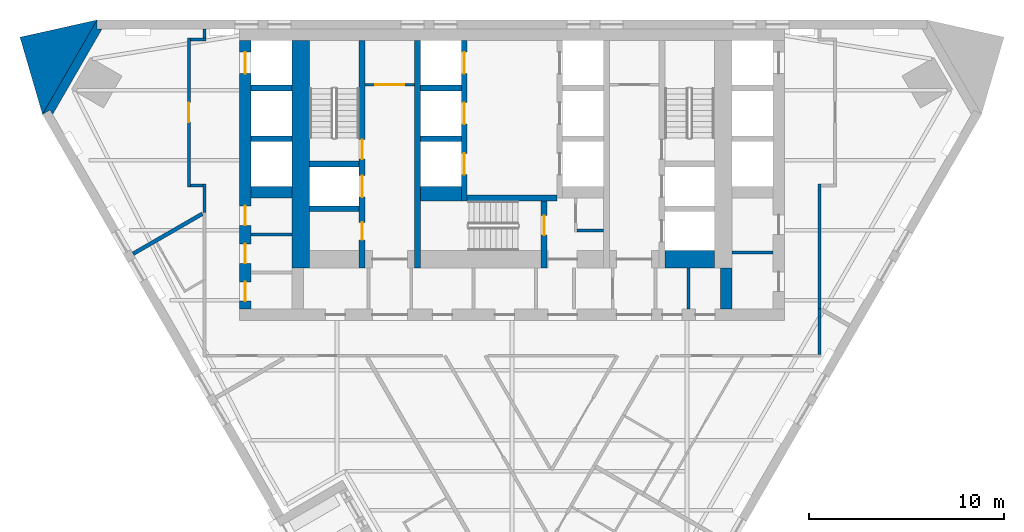
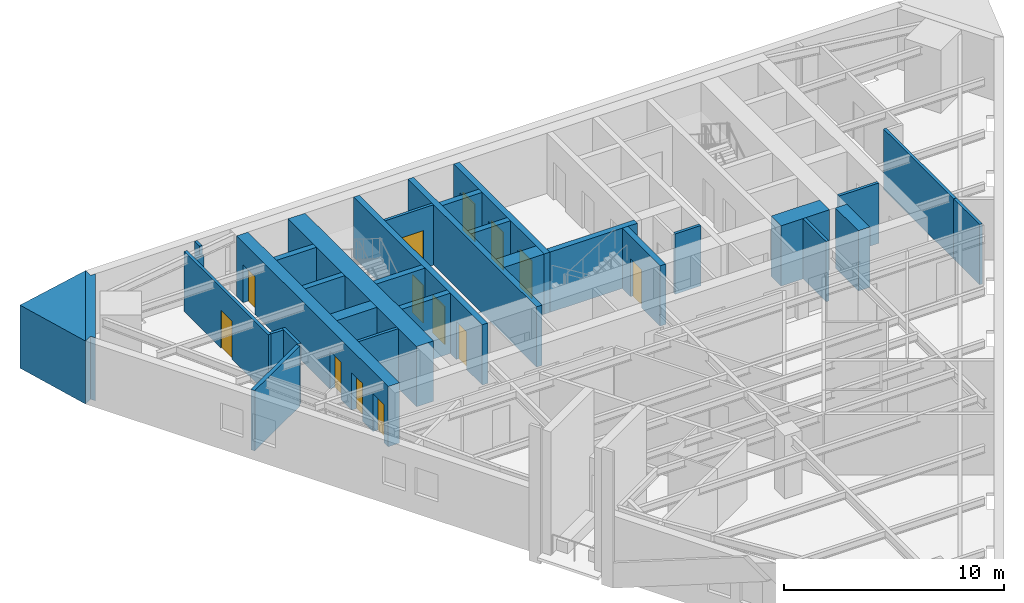
# One storey, part 5 of 9: 32 walls, 13 doors, 13 openings.
"""IFC4 building model written with IfcOpenShell, lengths in metres."""

from ifc_helpers import new_model, si_unit, direction, frame, frame_2d, origin, place, context, subcontext, project, spatial, polyline, rectangle, outline, extrude, material, layer, layer_set, type_object, element, fill, save


model = new_model("IFC4")

# Units and contexts
model_context = context("Model", 3, precision=1e-05, world=origin(), true_north=direction((0.0, 1.0)))
body_context = subcontext(model_context, "Body", "Model", "MODEL_VIEW")
ifc_project = project(units=[si_unit("LENGTHUNIT", "METRE"), si_unit("AREAUNIT", "SQUARE_METRE"), si_unit("VOLUMEUNIT", "CUBIC_METRE"), si_unit("PLANEANGLEUNIT", "RADIAN"), si_unit("MASSUNIT", "GRAM", prefix="KILO")], contexts=[model_context])

# Site, building, storey
site_placement = place(None, origin())
site = spatial("IfcSite", under=ifc_project, at=site_placement, CompositionType="ELEMENT")
building_placement = place(site_placement, origin())
building = spatial("IfcBuilding", under=site, at=building_placement, Name="Aloe Facet Convention Tower", CompositionType="ELEMENT")
storey_placement = place(building_placement, frame((0.0, 0.0, 99.300048828125)))
storey = spatial("IfcBuildingStorey", under=building, at=storey_placement, Name="L24", CompositionType="ELEMENT", Elevation=99.300048828125)

# Wall
ifc_material_1 = material(Name="Concrete blockwork partition", Category="masonry")
ifc_layer_1 = layer(ifc_material_1, 0.14990234375)
ifc_layer_set_1 = layer_set([ifc_layer_1], Name="CR-W-PART150")
wall_type_1 = type_object("IfcWallType", Name="CR-W-PART150", PredefinedType="PARTITIONING", material=ifc_layer_set_1)
wall_1_placement = place(storey_placement, frame((66.60009765625, 123.97509765625, 0.0), z_axis=(0.0, 0.0, 1.0), x_axis=(1.0, 0.0, 0.0)))
element("IfcWall", 1, at=wall_1_placement, inside=storey, type_object=wall_type_1, Name="Core partition L24-007", PredefinedType="PARTITIONING", context=body_context, shape_type="SweptSolid", body=[
    extrude(rectangle(XDim=2.099853515625, YDim=0.14990234375, at=frame_2d((1.0498046875, 0.0))), origin(), (0.0, 0.0, 1.0), 3.349853515625),
])

# Wall, opening, door
wall_2_placement = place(storey_placement, frame((72.449951171875, 131.675048828125, 0.0), z_axis=(0.0, 0.0, 1.0), x_axis=(1.0, 0.0, 0.0)))
wall_2 = element("IfcWall", 2, at=wall_2_placement, inside=storey, type_object=wall_type_1, Name="Core partition L24-015", PredefinedType="PARTITIONING", context=body_context, shape_type="SweptSolid", body=[
    extrude(rectangle(XDim=2.550048828125, YDim=0.14990234375, at=frame_2d((1.27490234375, 0.0))), origin(), (0.0, 0.0, 1.0), 3.349853515625),
])
opening_1_placement = place(wall_2_placement, frame((0.52490234375, 0.0, 0.0)))
opening_1 = element("IfcOpeningElement", 3, at=opening_1_placement, cuts=wall_2, Name="Opening L24-CD21", PredefinedType="OPENING", context=body_context, shape_type="SweptSolid", body=[
    extrude(rectangle(XDim=1.5, YDim=2.10009765625, at=frame_2d((0.75, 1.050048828125))), frame((0.0, 0.0849609375, 0.0), z_axis=(0.0, -1.0, 0.0), x_axis=(1.0, 0.0, 0.0)), (0.0, 0.0, 1.0), 0.169921875),
])
ifc_material_2 = material(Name="Steel fire-resisting door set FD60", Category="steel")
door_type_1 = type_object("IfcDoorType", Name="CR-D-REFUGE-1500-FD60-DD", OperationType="DOUBLE_DOOR_DOUBLE_SWING", PredefinedType="DOOR", material=ifc_material_2)
door_1_placement = place(opening_1_placement, origin())
door_1 = element("IfcDoor", 4, at=door_1_placement, inside=storey, type_object=door_type_1, Name="Core door L24-CD21", OperationType="DOUBLE_DOOR_DOUBLE_SWING", OverallHeight=2.10009765625, OverallWidth=1.5, PredefinedType="DOOR", context=body_context, shape_type="SweptSolid", body=[
    extrude(rectangle(XDim=1.5, YDim=2.10009765625, at=frame_2d((0.75, 1.050048828125))), frame((0.0, 0.02490234375, 0.0), z_axis=(0.0, -1.0, 0.0), x_axis=(1.0, 0.0, 0.0)), (0.0, 0.0, 1.0), 0.050048828125),
])
fill(opening_1, door_1)

# Walls
wall_3_placement = place(storey_placement, frame((83.35009765625, 124.175048828125, 0.0), z_axis=(0.0, 0.0, 1.0), x_axis=(1.0, 0.0, 0.0)))
element("IfcWall", 5, at=wall_3_placement, inside=storey, type_object=wall_type_1, Name="Core partition L24-036", PredefinedType="PARTITIONING", context=body_context, shape_type="SweptSolid", body=[
    extrude(rectangle(XDim=1.349853515625, YDim=0.14990234375, at=frame_2d((0.6748046875, 0.0))), origin(), (0.0, 0.0, 1.0), 3.349853515625),
])
wall_4_placement = place(storey_placement, frame((89.074951171875, 122.25, 0.0), z_axis=(0.0, 0.0, 1.0), x_axis=(0.0, -1.0, 0.0)))
element("IfcWall", 6, at=wall_4_placement, inside=storey, type_object=wall_type_1, Name="Core partition L24-046", PredefinedType="PARTITIONING", context=body_context, shape_type="SweptSolid", body=[
    extrude(rectangle(XDim=2.10009765625, YDim=0.14990234375, at=frame_2d((1.050048828125, 0.0))), origin(), (0.0, 0.0, 1.0), 3.349853515625),
])
wall_5_placement = place(storey_placement, frame((91.300048828125, 123.048583984375, 0.0), z_axis=(0.0, 0.0, 1.0), x_axis=(1.0, 0.0, 0.0)))
element("IfcWall", 7, at=wall_5_placement, inside=storey, type_object=wall_type_1, Name="Core partition L24-052", PredefinedType="PARTITIONING", context=body_context, shape_type="SweptSolid", body=[
    extrude(rectangle(XDim=2.099853515625, YDim=0.14990234375, at=frame_2d((1.0498046875, 0.0))), origin(), (0.0, 0.0, 1.0), 3.349853515625),
])
ifc_material_3 = material(Name="Concrete C70/85", Category="concrete")
ifc_layer_2 = layer(ifc_material_3, 0.300048828125)
ifc_layer_set_2 = layer_set([ifc_layer_2], Name="CR-W-RC300-C7085")
wall_type_2 = type_object("IfcWallType", Name="CR-W-RC300-C7085", PredefinedType="SOLIDWALL", material=ifc_layer_set_2)
for number, where, z_axis, x_axis, name in (
    (8, (66.60009765625, 131.5, 0.0), (0.0, 0.0, 1.0), (1.0, 0.0, 0.0), "Core wall L24-004"),
    (9, (66.60009765625, 128.89990234375, 0.0), (0.0, 0.0, 1.0), (1.0, 0.0, 0.0), "Core wall L24-005"),
):
    element("IfcWall", number, at=place(storey_placement, frame(where, z_axis=z_axis, x_axis=x_axis)), inside=storey, type_object=wall_type_2, Name=name, PredefinedType="SOLIDWALL", context=body_context, shape_type="SweptSolid", body=[
        extrude(rectangle(XDim=2.099853515625, YDim=0.300048828125, at=frame_2d((1.0498046875, 0.0))), origin(), (0.0, 0.0, 1.0), 3.349853515625),
    ])
for number, where, z_axis, x_axis, name in (
    (10, (69.60009765625, 127.60009765625, 0.0), (0.0, 0.0, 1.0), (1.0, 0.0, 0.0), "Core wall L24-011"),
    (11, (69.60009765625, 125.300048828125, 0.0), (0.0, 0.0, 1.0), (1.0, 0.0, 0.0), "Core wall L24-012"),
):
    element("IfcWall", number, at=place(storey_placement, frame(where, z_axis=z_axis, x_axis=x_axis)), inside=storey, type_object=wall_type_2, Name=name, PredefinedType="SOLIDWALL", context=body_context, shape_type="SweptSolid", body=[
        extrude(rectangle(XDim=2.5498046875, YDim=0.300048828125, at=frame_2d((1.27490234375, 0.0))), origin(), (0.0, 0.0, 1.0), 3.349853515625),
    ])

# Wall, openings, doors
wall_6_placement = place(storey_placement, frame((72.300048828125, 133.949951171875, 0.0), z_axis=(0.0, 0.0, 1.0), x_axis=(0.0, -1.0, 0.0)))
wall_6 = element("IfcWall", 12, at=wall_6_placement, inside=storey, type_object=wall_type_2, Name="Core wall L24-014", PredefinedType="SOLIDWALL", context=body_context, shape_type="SweptSolid", body=[
    extrude(rectangle(XDim=11.699951171875, YDim=0.300048828125, at=frame_2d((5.85009765625, 0.0))), origin(), (0.0, 0.0, 1.0), 3.349853515625),
])
opening_2_placement = place(wall_6_placement, frame((6.949951171875, 0.0, 0.0)))
opening_2 = element("IfcOpeningElement", 13, at=opening_2_placement, cuts=wall_6, Name="Opening LD-FF1-L24", PredefinedType="OPENING", context=body_context, shape_type="SweptSolid", body=[
    extrude(rectangle(XDim=1.10009765625, YDim=2.10009765625, at=frame_2d((0.550048828125, 1.050048828125))), frame((0.0, 0.16015625, 0.0), z_axis=(0.0, -1.0, 0.0), x_axis=(1.0, 0.0, 0.0)), (0.0, 0.0, 1.0), 0.320068359375),
])
opening_3_placement = place(wall_6_placement, frame((9.35009765625, 0.0, 0.0)))
opening_3 = element("IfcOpeningElement", 14, at=opening_3_placement, cuts=wall_6, Name="Opening L24-CD22", PredefinedType="OPENING", context=body_context, shape_type="SweptSolid", body=[
    extrude(rectangle(XDim=0.89990234375, YDim=2.10009765625, at=frame_2d((0.449951171875, 1.050048828125))), frame((0.0, 0.16015625, 0.0), z_axis=(0.0, -1.0, 0.0), x_axis=(1.0, 0.0, 0.0)), (0.0, 0.0, 1.0), 0.320068359375),
])
opening_4_placement = place(wall_6_placement, frame((5.10009765625, 0.0, 0.0)))
opening_4 = element("IfcOpeningElement", 15, at=opening_4_placement, cuts=wall_6, Name="Opening L24-CD29", PredefinedType="OPENING", context=body_context, shape_type="SweptSolid", body=[
    extrude(rectangle(XDim=1.0, YDim=2.10009765625, at=frame_2d((0.5, 1.050048828125))), frame((0.0, 0.16015625, 0.0), z_axis=(0.0, -1.0, 0.0), x_axis=(1.0, 0.0, 0.0)), (0.0, 0.0, 1.0), 0.320068359375),
])
ifc_material_4 = material(Name="Steel fire-resisting door set FD60", Category="steel")
door_type_2 = type_object("IfcDoorType", Name="CR-D-ROOM-900-FD60-SLEFT", OperationType="SINGLE_SWING_LEFT", PredefinedType="DOOR", material=ifc_material_4)
door_2_placement = place(opening_3_placement, origin())
door_2 = element("IfcDoor", 16, at=door_2_placement, inside=storey, type_object=door_type_2, Name="Core door L24-CD22", OperationType="SINGLE_SWING_LEFT", OverallHeight=2.10009765625, OverallWidth=0.89990234375, PredefinedType="DOOR", context=body_context, shape_type="SweptSolid", body=[
    extrude(rectangle(XDim=0.89990234375, YDim=2.10009765625, at=frame_2d((0.449951171875, 1.050048828125))), frame((0.0, 0.02490234375, 0.0), z_axis=(0.0, -1.0, 0.0), x_axis=(1.0, 0.0, 0.0)), (0.0, 0.0, 1.0), 0.050048828125),
])
fill(opening_3, door_2)
ifc_material_5 = material(Name="Steel fire-resisting door set FD120", Category="steel")
door_type_3 = type_object("IfcDoorType", Name="CR-D-STAIR-1000-FD120-SRIGHT", OperationType="SINGLE_SWING_RIGHT", PredefinedType="DOOR", material=ifc_material_5)
door_3_placement = place(opening_4_placement, origin())
door_3 = element("IfcDoor", 17, at=door_3_placement, inside=storey, type_object=door_type_3, Name="Core door L24-CD29", OperationType="SINGLE_SWING_RIGHT", OverallHeight=2.10009765625, OverallWidth=1.0, PredefinedType="DOOR", context=body_context, shape_type="SweptSolid", body=[
    extrude(rectangle(XDim=1.0, YDim=2.10009765625, at=frame_2d((0.5, 1.050048828125))), frame((0.0, 0.02490234375, 0.0), z_axis=(0.0, -1.0, 0.0), x_axis=(1.0, 0.0, 0.0)), (0.0, 0.0, 1.0), 0.050048828125),
])
fill(opening_4, door_3)
ifc_material_6 = material(Name="Stainless steel sliding landing door", Category="steel")
door_type_4 = type_object("IfcDoorType", Name="CR-LD-1100-FD120-_LEFT", OperationType="SLIDING_TO_LEFT", PredefinedType="DOOR", material=ifc_material_6)
door_4_placement = place(opening_2_placement, origin())
door_4 = element("IfcDoor", 18, at=door_4_placement, inside=storey, type_object=door_type_4, Name="Landing door FF1 L24", OperationType="SLIDING_TO_LEFT", OverallHeight=2.10009765625, OverallWidth=1.10009765625, PredefinedType="DOOR", context=body_context, shape_type="SweptSolid", body=[
    extrude(rectangle(XDim=1.10009765625, YDim=2.10009765625, at=frame_2d((0.550048828125, 1.050048828125))), frame((0.0, 0.02490234375, 0.0), z_axis=(0.0, -1.0, 0.0), x_axis=(1.0, 0.0, 0.0)), (0.0, 0.0, 1.0), 0.050048828125),
])
fill(opening_2, door_4)

# Walls
wall_7_placement = place(storey_placement, frame((75.14990234375, 133.949951171875, 0.0), z_axis=(0.0, 0.0, 1.0), x_axis=(0.0, -1.0, 0.0)))
element("IfcWall", 19, at=wall_7_placement, inside=storey, type_object=wall_type_2, Name="Core wall L24-019", PredefinedType="SOLIDWALL", context=body_context, shape_type="SweptSolid", body=[
    extrude(rectangle(XDim=11.699951171875, YDim=0.300048828125, at=frame_2d((5.85009765625, 0.0))), origin(), (0.0, 0.0, 1.0), 3.349853515625),
])
for number, where, z_axis, x_axis, name in (
    (20, (75.300048828125, 131.5, 0.0), (0.0, 0.0, 1.0), (1.0, 0.0, 0.0), "Core wall L24-020"),
    (21, (75.300048828125, 128.89990234375, 0.0), (0.0, 0.0, 1.0), (1.0, 0.0, 0.0), "Core wall L24-021"),
):
    element("IfcWall", number, at=place(storey_placement, frame(where, z_axis=z_axis, x_axis=x_axis)), inside=storey, type_object=wall_type_2, Name=name, PredefinedType="SOLIDWALL", context=body_context, shape_type="SweptSolid", body=[
        extrude(rectangle(XDim=2.099853515625, YDim=0.300048828125, at=frame_2d((1.0498046875, 0.0))), origin(), (0.0, 0.0, 1.0), 3.349853515625),
    ])

# Wall, openings, doors
wall_8_placement = place(storey_placement, frame((77.550048828125, 133.949951171875, 0.0), z_axis=(0.0, 0.0, 1.0), x_axis=(0.0, -1.0, 0.0)))
wall_8 = element("IfcWall", 22, at=wall_8_placement, inside=storey, type_object=wall_type_2, Name="Core wall L24-024", PredefinedType="SOLIDWALL", context=body_context, shape_type="SweptSolid", body=[
    extrude(rectangle(XDim=8.25, YDim=0.300048828125, at=frame_2d((4.125, 0.0))), origin(), (0.0, 0.0, 1.0), 3.349853515625),
])
opening_5_placement = place(wall_8_placement, frame((0.60009765625, 0.0, 0.0)))
opening_5 = element("IfcOpeningElement", 23, at=opening_5_placement, cuts=wall_8, Name="Opening LD-A1-L24", PredefinedType="OPENING", context=body_context, shape_type="SweptSolid", body=[
    extrude(rectangle(XDim=1.10009765625, YDim=2.10009765625, at=frame_2d((0.550048828125, 1.050048828125))), frame((0.0, 0.16015625, 0.0), z_axis=(0.0, -1.0, 0.0), x_axis=(1.0, 0.0, 0.0)), (0.0, 0.0, 1.0), 0.320068359375),
])
opening_6_placement = place(wall_8_placement, frame((3.199951171875, 0.0, 0.0)))
opening_6 = element("IfcOpeningElement", 24, at=opening_6_placement, cuts=wall_8, Name="Opening LD-A2-L24", PredefinedType="OPENING", context=body_context, shape_type="SweptSolid", body=[
    extrude(rectangle(XDim=1.10009765625, YDim=2.10009765625, at=frame_2d((0.550048828125, 1.050048828125))), frame((0.0, 0.16015625, 0.0), z_axis=(0.0, -1.0, 0.0), x_axis=(1.0, 0.0, 0.0)), (0.0, 0.0, 1.0), 0.320068359375),
])
opening_7_placement = place(wall_8_placement, frame((5.800048828125, 0.0, 0.0)))
opening_7 = element("IfcOpeningElement", 25, at=opening_7_placement, cuts=wall_8, Name="Opening LD-A3-L24", PredefinedType="OPENING", context=body_context, shape_type="SweptSolid", body=[
    extrude(rectangle(XDim=1.10009765625, YDim=2.10009765625, at=frame_2d((0.550048828125, 1.050048828125))), frame((0.0, 0.16015625, 0.0), z_axis=(0.0, -1.0, 0.0), x_axis=(1.0, 0.0, 0.0)), (0.0, 0.0, 1.0), 0.320068359375),
])
ifc_material_7 = material(Name="Stainless steel sliding landing door", Category="steel")
door_type_5 = type_object("IfcDoorType", Name="CR-LD-1100-FD60-RIGHT", OperationType="SLIDING_TO_RIGHT", PredefinedType="DOOR", material=ifc_material_7)
door_5_placement = place(opening_5_placement, origin())
door_5 = element("IfcDoor", 26, at=door_5_placement, inside=storey, type_object=door_type_5, Name="Landing door A1 L24", OperationType="SLIDING_TO_RIGHT", OverallHeight=2.10009765625, OverallWidth=1.10009765625, PredefinedType="DOOR", context=body_context, shape_type="SweptSolid", body=[
    extrude(rectangle(XDim=1.10009765625, YDim=2.10009765625, at=frame_2d((0.550048828125, 1.050048828125))), frame((0.0, 0.02490234375, 0.0), z_axis=(0.0, -1.0, 0.0), x_axis=(1.0, 0.0, 0.0)), (0.0, 0.0, 1.0), 0.050048828125),
])
fill(opening_5, door_5)
door_6_placement = place(opening_6_placement, origin())
door_6 = element("IfcDoor", 27, at=door_6_placement, inside=storey, type_object=door_type_5, Name="Landing door A2 L24", OperationType="SLIDING_TO_RIGHT", OverallHeight=2.10009765625, OverallWidth=1.10009765625, PredefinedType="DOOR", context=body_context, shape_type="SweptSolid", body=[
    extrude(rectangle(XDim=1.10009765625, YDim=2.10009765625, at=frame_2d((0.550048828125, 1.050048828125))), frame((0.0, 0.02490234375, 0.0), z_axis=(0.0, -1.0, 0.0), x_axis=(1.0, 0.0, 0.0)), (0.0, 0.0, 1.0), 0.050048828125),
])
fill(opening_6, door_6)
door_7_placement = place(opening_7_placement, origin())
door_7 = element("IfcDoor", 28, at=door_7_placement, inside=storey, type_object=door_type_5, Name="Landing door A3 L24", OperationType="SLIDING_TO_RIGHT", OverallHeight=2.10009765625, OverallWidth=1.10009765625, PredefinedType="DOOR", context=body_context, shape_type="SweptSolid", body=[
    extrude(rectangle(XDim=1.10009765625, YDim=2.10009765625, at=frame_2d((0.550048828125, 1.050048828125))), frame((0.0, 0.02490234375, 0.0), z_axis=(0.0, -1.0, 0.0), x_axis=(1.0, 0.0, 0.0)), (0.0, 0.0, 1.0), 0.050048828125),
])
fill(opening_7, door_7)

# Wall
wall_9_placement = place(storey_placement, frame((77.699951171875, 125.85009765625, 0.0), z_axis=(0.0, 0.0, 1.0), x_axis=(1.0, 0.0, 0.0)))
element("IfcWall", 29, at=wall_9_placement, inside=storey, type_object=wall_type_2, Name="Core wall L24-025", PredefinedType="SOLIDWALL", context=body_context, shape_type="SweptSolid", body=[
    extrude(rectangle(XDim=4.60009765625, YDim=0.300048828125, at=frame_2d((2.300048828125, 0.0))), origin(), (0.0, 0.0, 1.0), 3.349853515625),
])

# Wall, opening, door
wall_10_placement = place(storey_placement, frame((81.64990234375, 125.699951171875, 0.0), z_axis=(0.0, 0.0, 1.0), x_axis=(0.0, -1.0, 0.0)))
wall_10 = element("IfcWall", 30, at=wall_10_placement, inside=storey, type_object=wall_type_2, Name="Core wall L24-028", PredefinedType="SOLIDWALL", context=body_context, shape_type="SweptSolid", body=[
    extrude(rectangle(XDim=3.449951171875, YDim=0.300048828125, at=frame_2d((1.72509765625, 0.0))), origin(), (0.0, 0.0, 1.0), 3.349853515625),
])
opening_8_placement = place(wall_10_placement, frame((0.75, 0.0, 0.0)))
opening_8 = element("IfcOpeningElement", 31, at=opening_8_placement, cuts=wall_10, Name="Opening L24-CD31", PredefinedType="OPENING", context=body_context, shape_type="SweptSolid", body=[
    extrude(rectangle(XDim=1.0, YDim=2.10009765625, at=frame_2d((0.5, 1.050048828125))), frame((0.0, 0.16015625, 0.0), z_axis=(0.0, -1.0, 0.0), x_axis=(1.0, 0.0, 0.0)), (0.0, 0.0, 1.0), 0.320068359375),
])
ifc_material_8 = material(Name="Steel fire-resisting door set FD120", Category="steel")
door_type_6 = type_object("IfcDoorType", Name="CR-D-STAIR-1000-FD120-SLEFT", OperationType="SINGLE_SWING_LEFT", PredefinedType="DOOR", material=ifc_material_8)
door_8_placement = place(opening_8_placement, origin())
door_8 = element("IfcDoor", 32, at=door_8_placement, inside=storey, type_object=door_type_6, Name="Core door L24-CD31", OperationType="SINGLE_SWING_LEFT", OverallHeight=2.10009765625, OverallWidth=1.0, PredefinedType="DOOR", context=body_context, shape_type="SweptSolid", body=[
    extrude(rectangle(XDim=1.0, YDim=2.10009765625, at=frame_2d((0.5, 1.050048828125))), frame((0.0, 0.02490234375, 0.0), z_axis=(0.0, -1.0, 0.0), x_axis=(1.0, 0.0, 0.0)), (0.0, 0.0, 1.0), 0.050048828125),
])
fill(opening_8, door_8)

# Wall, openings, doors
ifc_material_9 = material(Name="Concrete C70/85", Category="concrete")
ifc_layer_3 = layer(ifc_material_9, 0.60009765625)
ifc_layer_set_3 = layer_set([ifc_layer_3], Name="CR-W-RC600-C7085")
wall_type_3 = type_object("IfcWallType", Name="CR-W-RC600-C7085", PredefinedType="SOLIDWALL", material=ifc_layer_set_3)
wall_11_placement = place(storey_placement, frame((66.300048828125, 133.949951171875, 0.0), z_axis=(0.0, 0.0, 1.0), x_axis=(0.0, -1.0, 0.0)))
wall_11 = element("IfcWall", 33, at=wall_11_placement, inside=storey, type_object=wall_type_3, Name="Core wall L24-002", PredefinedType="SOLIDWALL", context=body_context, shape_type="SweptSolid", body=[
    extrude(rectangle(XDim=13.800048828125, YDim=0.60009765625, at=frame_2d((6.89990234375, 0.0))), origin(), (0.0, 0.0, 1.0), 3.349853515625),
])
opening_9_placement = place(wall_11_placement, frame((0.60009765625, 0.0, 0.0)))
opening_9 = element("IfcOpeningElement", 34, at=opening_9_placement, cuts=wall_11, Name="Opening LD-A7-L24", PredefinedType="OPENING", context=body_context, shape_type="SweptSolid", body=[
    extrude(rectangle(XDim=1.10009765625, YDim=2.10009765625, at=frame_2d((0.550048828125, 1.050048828125))), frame((0.0, 0.31005859375, 0.0), z_axis=(0.0, -1.0, 0.0), x_axis=(1.0, 0.0, 0.0)), (0.0, 0.0, 1.0), 0.6201171875),
])
opening_10_placement = place(wall_11_placement, frame((12.39990234375, 0.0, 0.0)))
opening_10 = element("IfcOpeningElement", 35, at=opening_10_placement, cuts=wall_11, Name="Opening L24-CD33", PredefinedType="OPENING", context=body_context, shape_type="SweptSolid", body=[
    extrude(rectangle(XDim=1.0, YDim=2.10009765625, at=frame_2d((0.5, 1.050048828125))), frame((0.0, 0.31005859375, 0.0), z_axis=(0.0, -1.0, 0.0), x_axis=(1.0, 0.0, 0.0)), (0.0, 0.0, 1.0), 0.6201171875),
])
opening_11_placement = place(wall_11_placement, frame((8.5, 0.0, 0.0)))
opening_11 = element("IfcOpeningElement", 36, at=opening_11_placement, cuts=wall_11, Name="Opening L24-CD34", PredefinedType="OPENING", context=body_context, shape_type="SweptSolid", body=[
    extrude(rectangle(XDim=1.0, YDim=2.10009765625, at=frame_2d((0.5, 1.050048828125))), frame((0.0, 0.31005859375, 0.0), z_axis=(0.0, -1.0, 0.0), x_axis=(1.0, 0.0, 0.0)), (0.0, 0.0, 1.0), 0.6201171875),
])
opening_12_placement = place(wall_11_placement, frame((10.449951171875, 0.0, 0.0)))
opening_12 = element("IfcOpeningElement", 37, at=opening_12_placement, cuts=wall_11, Name="Opening L24-CD35", PredefinedType="OPENING", context=body_context, shape_type="SweptSolid", body=[
    extrude(rectangle(XDim=1.0, YDim=2.10009765625, at=frame_2d((0.5, 1.050048828125))), frame((0.0, 0.31005859375, 0.0), z_axis=(0.0, -1.0, 0.0), x_axis=(1.0, 0.0, 0.0)), (0.0, 0.0, 1.0), 0.6201171875),
])
ifc_material_10 = material(Name="Steel fire-resisting door set FD60", Category="steel")
door_type_7 = type_object("IfcDoorType", Name="CR-D-ROOM-1000-FD60-SLEFT", OperationType="SINGLE_SWING_LEFT", PredefinedType="DOOR", material=ifc_material_10)
door_9_placement = place(opening_10_placement, origin())
door_9 = element("IfcDoor", 38, at=door_9_placement, inside=storey, type_object=door_type_7, Name="Core door L24-CD33", OperationType="SINGLE_SWING_LEFT", OverallHeight=2.10009765625, OverallWidth=1.0, PredefinedType="DOOR", context=body_context, shape_type="SweptSolid", body=[
    extrude(rectangle(XDim=1.0, YDim=2.10009765625, at=frame_2d((0.5, 1.050048828125))), frame((0.0, 0.02490234375, 0.0), z_axis=(0.0, -1.0, 0.0), x_axis=(1.0, 0.0, 0.0)), (0.0, 0.0, 1.0), 0.050048828125),
])
fill(opening_10, door_9)
door_10_placement = place(opening_11_placement, origin())
door_10 = element("IfcDoor", 39, at=door_10_placement, inside=storey, type_object=door_type_7, Name="Core door L24-CD34", OperationType="SINGLE_SWING_LEFT", OverallHeight=2.10009765625, OverallWidth=1.0, PredefinedType="DOOR", context=body_context, shape_type="SweptSolid", body=[
    extrude(rectangle(XDim=1.0, YDim=2.10009765625, at=frame_2d((0.5, 1.050048828125))), frame((0.0, 0.02490234375, 0.0), z_axis=(0.0, -1.0, 0.0), x_axis=(1.0, 0.0, 0.0)), (0.0, 0.0, 1.0), 0.050048828125),
])
fill(opening_11, door_10)
door_11_placement = place(opening_12_placement, origin())
door_11 = element("IfcDoor", 40, at=door_11_placement, inside=storey, type_object=door_type_7, Name="Core door L24-CD35", OperationType="SINGLE_SWING_LEFT", OverallHeight=2.10009765625, OverallWidth=1.0, PredefinedType="DOOR", context=body_context, shape_type="SweptSolid", body=[
    extrude(rectangle(XDim=1.0, YDim=2.10009765625, at=frame_2d((0.5, 1.050048828125))), frame((0.0, 0.02490234375, 0.0), z_axis=(0.0, -1.0, 0.0), x_axis=(1.0, 0.0, 0.0)), (0.0, 0.0, 1.0), 0.050048828125),
])
fill(opening_12, door_11)
ifc_material_11 = material(Name="Stainless steel sliding landing door", Category="steel")
door_type_8 = type_object("IfcDoorType", Name="CR-LD-1100-FD60-_LEFT", OperationType="SLIDING_TO_LEFT", PredefinedType="DOOR", material=ifc_material_11)
door_12_placement = place(opening_9_placement, origin())
door_12 = element("IfcDoor", 41, at=door_12_placement, inside=storey, type_object=door_type_8, Name="Landing door A7 L24", OperationType="SLIDING_TO_LEFT", OverallHeight=2.10009765625, OverallWidth=1.10009765625, PredefinedType="DOOR", context=body_context, shape_type="SweptSolid", body=[
    extrude(rectangle(XDim=1.10009765625, YDim=2.10009765625, at=frame_2d((0.550048828125, 1.050048828125))), frame((0.0, 0.02490234375, 0.0), z_axis=(0.0, -1.0, 0.0), x_axis=(1.0, 0.0, 0.0)), (0.0, 0.0, 1.0), 0.050048828125),
])
fill(opening_9, door_12)

# Walls
wall_12_placement = place(storey_placement, frame((66.60009765625, 126.14990234375, 0.0), z_axis=(0.0, 0.0, 1.0), x_axis=(1.0, 0.0, 0.0)))
element("IfcWall", 42, at=wall_12_placement, inside=storey, type_object=wall_type_3, Name="Core wall L24-006", PredefinedType="SOLIDWALL", context=body_context, shape_type="SweptSolid", body=[
    extrude(rectangle(XDim=2.099853515625, YDim=0.60009765625, at=frame_2d((1.0498046875, 0.0))), origin(), (0.0, 0.0, 1.0), 3.349853515625),
])
wall_13_placement = place(storey_placement, frame((91.0, 122.25, 0.0), z_axis=(0.0, 0.0, 1.0), x_axis=(0.0, -1.0, 0.0)))
element("IfcWall", 43, at=wall_13_placement, inside=storey, type_object=wall_type_3, Name="Core wall L24-048", PredefinedType="SOLIDWALL", context=body_context, shape_type="SweptSolid", body=[
    extrude(rectangle(XDim=2.10009765625, YDim=0.60009765625, at=frame_2d((1.050048828125, 0.0))), origin(), (0.0, 0.0, 1.0), 3.349853515625),
])
ifc_material_12 = material(Name="Concrete C70/85", Category="concrete")
ifc_layer_4 = layer(ifc_material_12, 0.75)
ifc_layer_set_4 = layer_set([ifc_layer_4], Name="CR-W-RC750-C7085")
wall_type_4 = type_object("IfcWallType", Name="CR-W-RC750-C7085", PredefinedType="SOLIDWALL", material=ifc_layer_set_4)
wall_14_placement = place(storey_placement, frame((75.300048828125, 126.074951171875, 0.0), z_axis=(0.0, 0.0, 1.0), x_axis=(1.0, 0.0, 0.0)))
element("IfcWall", 44, at=wall_14_placement, inside=storey, type_object=wall_type_4, Name="Core wall L24-022", PredefinedType="SOLIDWALL", context=body_context, shape_type="SweptSolid", body=[
    extrude(rectangle(XDim=2.099853515625, YDim=0.75, at=frame_2d((1.0498046875, 0.0))), origin(), (0.0, 0.0, 1.0), 3.349853515625),
])
ifc_material_13 = material(Name="Concrete C70/85", Category="concrete")
ifc_layer_5 = layer(ifc_material_13, 0.89990234375)
ifc_layer_set_5 = layer_set([ifc_layer_5], Name="CR-W-RC900-C7085")
wall_type_5 = type_object("IfcWallType", Name="CR-W-RC900-C7085", PredefinedType="SOLIDWALL", material=ifc_layer_set_5)
wall_15_placement = place(storey_placement, frame((69.14990234375, 133.949951171875, 0.0), z_axis=(0.0, 0.0, 1.0), x_axis=(0.0, -1.0, 0.0)))
element("IfcWall", 45, at=wall_15_placement, inside=storey, type_object=wall_type_5, Name="Core wall L24-009", PredefinedType="SOLIDWALL", context=body_context, shape_type="SweptSolid", body=[
    extrude(rectangle(XDim=11.699951171875, YDim=0.89990234375, at=frame_2d((5.85009765625, 0.0))), origin(), (0.0, 0.0, 1.0), 3.349853515625),
])
wall_16_placement = place(storey_placement, frame((87.85009765625, 122.699951171875, 0.0), z_axis=(0.0, 0.0, 1.0), x_axis=(1.0, 0.0, 0.0)))
element("IfcWall", 46, at=wall_16_placement, inside=storey, type_object=wall_type_5, Name="Core wall L24-045", PredefinedType="SOLIDWALL", context=body_context, shape_type="SweptSolid", body=[
    extrude(rectangle(XDim=2.5498046875, YDim=0.89990234375, at=frame_2d((1.27490234375, 0.0))), origin(), (0.0, 0.0, 1.0), 3.349853515625),
])
ifc_material_14 = material(Name="Precast concrete C40/50", Category="concrete")
ifc_layer_6 = layer(ifc_material_14, 0.449951171875)
ifc_layer_set_6 = layer_set([ifc_layer_6], Name="EV-WALL-PIER")
wall_type_6 = type_object("IfcWallType", Name="EV-WALL-PIER", PredefinedType="SOLIDWALL", material=ifc_layer_set_6)
wall_17_placement = place(storey_placement, frame((0.0, 0.0, -0.150146484375)))
element("IfcWall", 47, at=wall_17_placement, inside=storey, type_object=wall_type_6, Name="EP-L24-A", PredefinedType="SOLIDWALL", context=body_context, shape_type="SweptSolid", body=[
    extrude(outline(polyline([(58.678466796875, 135.0), (58.678466796875, 134.550048828125), (58.938232421875, 134.550048828125), (56.398193359375, 130.150146484375), (56.26806640625, 130.375244140625), (55.87841796875, 130.150146484375), (58.678466796875, 135.0)])), origin(), (0.0, 0.0, 1.0), 3.5),
])
ifc_material_15 = material(Name="Precast concrete C40/50", Category="concrete")
ifc_layer_7 = layer(ifc_material_15, 3.947998046875)
ifc_layer_set_7 = layer_set([ifc_layer_7], Name="EV-WALL-SPINE")
wall_type_7 = type_object("IfcWallType", Name="EV-WALL-SPINE", PredefinedType="SOLIDWALL", material=ifc_layer_set_7)
wall_18_placement = place(storey_placement, frame((0.0, 0.0, -0.150146484375)))
element("IfcWall", 48, at=wall_18_placement, inside=storey, type_object=wall_type_7, Name="SP-NW-L24", PredefinedType="SOLIDWALL", context=body_context, shape_type="SweptSolid", body=[
    extrude(outline(polyline([(58.678466796875, 135.0), (54.72119140625, 134.1171875), (55.87841796875, 130.150146484375), (58.678466796875, 135.0)])), origin(), (0.0, 0.0, 1.0), 3.5),
])
ifc_material_16 = material(Name="Gypsum board partition on steel studs", Category="steel")
ifc_layer_8 = layer(ifc_material_16, 0.14990234375)
ifc_layer_set_8 = layer_set([ifc_layer_8], Name="IN-W-CORR")
wall_type_8 = type_object("IfcWallType", Name="IN-W-CORR", PredefinedType="PARTITIONING", material=ifc_layer_set_8)
wall_19_placement = place(storey_placement, frame((95.800048828125, 117.824951171875, 0.0), z_axis=(0.0, 0.0, 1.0), x_axis=(0.0, 1.0, 0.0)))
element("IfcWall", 49, at=wall_19_placement, inside=storey, type_object=wall_type_8, Name="Partition L24-W036", PredefinedType="PARTITIONING", context=body_context, shape_type="SweptSolid", body=[
    extrude(rectangle(XDim=2.357666015625, YDim=0.14990234375, at=frame_2d((1.1787109375, 0.0))), origin(), (0.0, 0.0, 1.0), 3.349853515625),
])
wall_20_placement = place(storey_placement, frame((64.199951171875, 125.106689453125, 0.0), z_axis=(0.0, 0.0, 1.0), x_axis=(0.0, 1.0, 0.0)))
element("IfcWall", 50, at=wall_20_placement, inside=storey, type_object=wall_type_8, Name="Partition L24-W043", PredefinedType="PARTITIONING", context=body_context, shape_type="SweptSolid", body=[
    extrude(rectangle(XDim=1.46826171875, YDim=0.14990234375, at=frame_2d((0.734130859375, 0.0))), origin(), (0.0, 0.0, 1.0), 3.349853515625),
])

# Wall, opening, door
wall_21_placement = place(storey_placement, frame((63.39990234375, 126.425048828125, 0.0), z_axis=(0.0, 0.0, 1.0), x_axis=(0.0, 1.0, 0.0)))
wall_21 = element("IfcWall", 51, at=wall_21_placement, inside=storey, type_object=wall_type_8, Name="Partition L24-W044", PredefinedType="PARTITIONING", context=body_context, shape_type="SweptSolid", body=[
    extrude(rectangle(XDim=7.64990234375, YDim=0.14990234375, at=frame_2d((3.824951171875, 0.0))), origin(), (0.0, 0.0, 1.0), 3.349853515625),
])
opening_13_placement = place(wall_21_placement, frame((3.324951171875, 0.0, 0.0)))
opening_13 = element("IfcOpeningElement", 52, at=opening_13_placement, cuts=wall_21, Name="Opening L24-006", PredefinedType="OPENING", context=body_context, shape_type="SweptSolid", body=[
    extrude(rectangle(XDim=1.0, YDim=2.10009765625, at=frame_2d((0.5, 1.050048828125))), frame((0.0, 0.0849609375, 0.0), z_axis=(0.0, -1.0, 0.0), x_axis=(1.0, 0.0, 0.0)), (0.0, 0.0, 1.0), 0.169921875),
])
ifc_material_17 = material(Name="Hardwood flush door FD30S", Category="wood")
door_type_9 = type_object("IfcDoorType", Name="IN-D-WIDE", OperationType="SINGLE_SWING_LEFT", PredefinedType="DOOR", material=ifc_material_17)
door_13_placement = place(opening_13_placement, origin())
door_13 = element("IfcDoor", 53, at=door_13_placement, inside=storey, type_object=door_type_9, Name="Door L24-006", OperationType="SINGLE_SWING_LEFT", OverallHeight=2.10009765625, OverallWidth=1.0, PredefinedType="DOOR", context=body_context, shape_type="SweptSolid", body=[
    extrude(rectangle(XDim=1.0, YDim=2.10009765625, at=frame_2d((0.5, 1.050048828125))), frame((0.0, 0.02490234375, 0.0), z_axis=(0.0, -1.0, 0.0), x_axis=(1.0, 0.0, 0.0)), (0.0, 0.0, 1.0), 0.050048828125),
])
fill(opening_13, door_13)

# Walls
wall_22_placement = place(storey_placement, frame((63.47509765625, 126.5, 0.0), z_axis=(0.0, 0.0, 1.0), x_axis=(1.0, 0.0, 0.0)))
element("IfcWall", 54, at=wall_22_placement, inside=storey, type_object=wall_type_8, Name="Partition L24-W045", PredefinedType="PARTITIONING", context=body_context, shape_type="SweptSolid", body=[
    extrude(rectangle(XDim=0.64990234375, YDim=0.14990234375, at=frame_2d((0.324951171875, 0.0))), origin(), (0.0, 0.0, 1.0), 3.349853515625),
])
wall_23_placement = place(storey_placement, frame((95.800048828125, 120.1826171875, 0.0), z_axis=(0.0, 0.0, 1.0), x_axis=(0.0, 1.0, 0.0)))
element("IfcWall", 55, at=wall_23_placement, inside=storey, type_object=wall_type_8, Name="Partition L24-W046", PredefinedType="PARTITIONING", context=body_context, shape_type="SweptSolid", body=[
    extrude(rectangle(XDim=6.392333984375, YDim=0.14990234375, at=frame_2d((3.1962890625, 0.0))), origin(), (0.0, 0.0, 1.0), 3.349853515625),
])
wall_24_placement = place(storey_placement, frame((63.47509765625, 134.0, 0.0), z_axis=(0.0, 0.0, 1.0), x_axis=(1.0, 0.0, 0.0)))
element("IfcWall", 56, at=wall_24_placement, inside=storey, type_object=wall_type_8, Name="Partition L24-W048", PredefinedType="PARTITIONING", context=body_context, shape_type="SweptSolid", body=[
    extrude(rectangle(XDim=0.7998046875, YDim=0.14990234375, at=frame_2d((0.39990234375, 0.0))), origin(), (0.0, 0.0, 1.0), 2.886474609375),
])
wall_25_placement = place(storey_placement, frame((64.199951171875, 134.074951171875, 0.0), z_axis=(0.0, 0.0, 1.0), x_axis=(0.0, 1.0, 0.0)))
element("IfcWall", 57, at=wall_25_placement, inside=storey, type_object=wall_type_8, Name="Partition L24-W049", PredefinedType="PARTITIONING", context=body_context, shape_type="SweptSolid", body=[
    extrude(rectangle(XDim=0.465087890625, YDim=0.14990234375, at=frame_2d((0.232421875, 0.0))), origin(), (0.0, 0.0, 1.0), 3.349853515625),
])
ifc_material_18 = material(Name="Gypsum board partition on steel studs", Category="steel")
ifc_layer_9 = layer(ifc_material_18, 0.199951171875)
ifc_layer_set_9 = layer_set([ifc_layer_9], Name="IN-W-PARTY")
wall_type_9 = type_object("IfcWallType", Name="IN-W-PARTY", PredefinedType="PARTITIONING", material=ifc_layer_set_9)
wall_26_placement = place(storey_placement, frame((60.532470703125, 122.9892578125, 0.0), z_axis=(0.0, 0.0, 1.0), x_axis=(0.866030279993, 0.499991554064, 0.0)))
element("IfcWall", 58, at=wall_26_placement, inside=storey, type_object=wall_type_9, Name="Partition L24-W042", PredefinedType="PARTITIONING", context=body_context, shape_type="SweptSolid", body=[
    extrude(rectangle(XDim=4.10986328125, YDim=0.199951171875, at=frame_2d((2.054931640625, 0.0))), origin(), (0.0, 0.0, 1.0), 3.349853515625),
])

save(model, "model.ifc")
